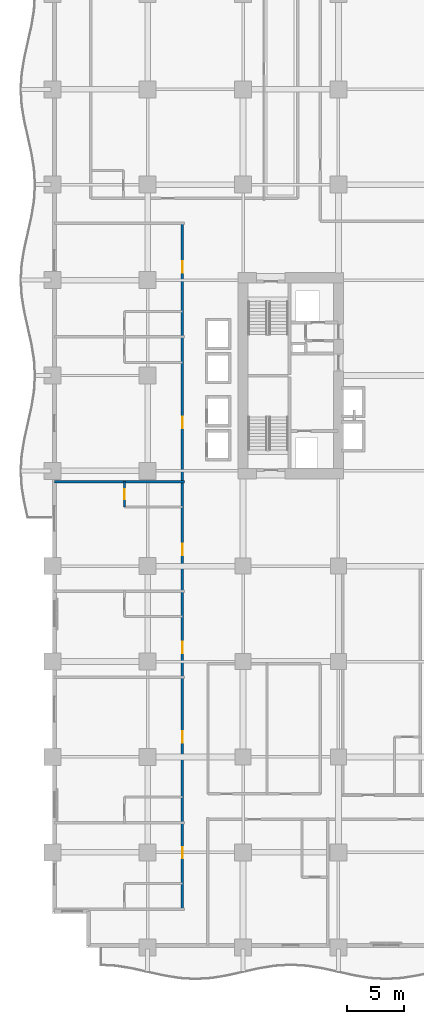
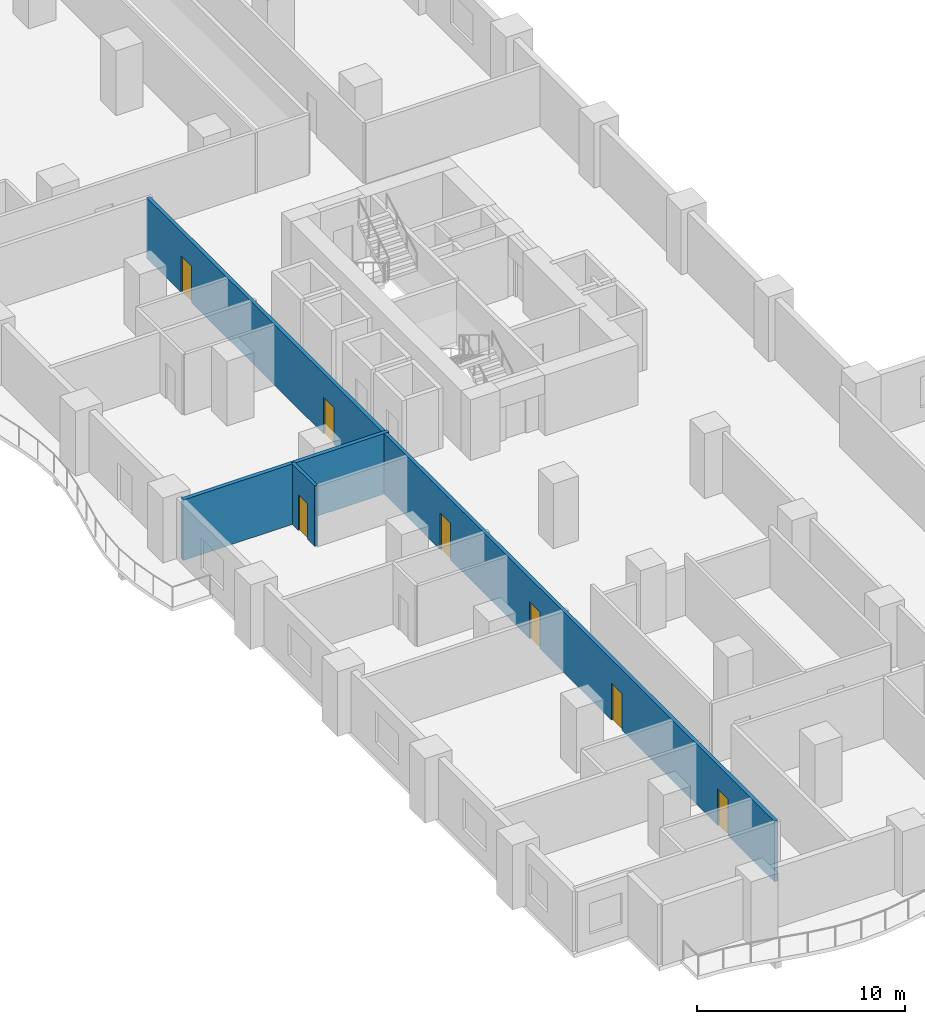
# One storey, part 14 of 27: 7 doors, 3 walls, 7 openings.
"""IFC4 building model written with IfcOpenShell, lengths in metres."""

from ifc_helpers import new_model, si_unit, direction, frame, frame_2d, origin, place, context, subcontext, project, spatial, rectangle, extrude, material, layer, layer_set, type_object, element, fill, save


model = new_model("IFC4")

# Units and contexts
model_context = context("Model", 3, precision=1e-05, world=origin(), true_north=direction((0.0, 1.0)))
body_context = subcontext(model_context, "Body", "Model", "MODEL_VIEW")
ifc_project = project(units=[si_unit("LENGTHUNIT", "METRE"), si_unit("AREAUNIT", "SQUARE_METRE"), si_unit("VOLUMEUNIT", "CUBIC_METRE"), si_unit("PLANEANGLEUNIT", "RADIAN"), si_unit("MASSUNIT", "GRAM", prefix="KILO")], contexts=[model_context])

# Site, building, storey
site_placement = place(None, origin())
site = spatial("IfcSite", under=ifc_project, at=site_placement, CompositionType="ELEMENT")
building_placement = place(site_placement, origin())
building = spatial("IfcBuilding", under=site, at=building_placement, Name="Koriwani Terraces Tower", CompositionType="ELEMENT")
storey_placement = place(building_placement, frame((0.0, 0.0, 70.0)))
storey = spatial("IfcBuildingStorey", under=building, at=storey_placement, Name="L16", CompositionType="ELEMENT", Elevation=70.0)

# Wall, openings, doors
ifc_material_1 = material(Name="Autoclaved Cellular Concrete Blockwork", Category="masonry")
ifc_layer_1 = layer(ifc_material_1, 0.199951171875, Name="Autoclaved Cellular Concrete Blockwork")
ifc_layer_set_1 = layer_set([ifc_layer_1], Name="Autoclaved Cellular Concrete Blockwork")
wall_type_1 = type_object("IfcWallType", Name="WALL_CORRIDOR_200", PredefinedType="PARTITIONING", material=ifc_layer_set_1)
wall_1_placement = place(storey_placement, frame((11.449951171875, 3.39990234375, 0.0), z_axis=(0.0, 0.0, 1.0), x_axis=(0.0, 1.0, 0.0)))
wall_1 = element("IfcWall", 1, at=wall_1_placement, inside=storey, type_object=wall_type_1, Name="L16 Interior Wall WCOR-L16-NW-0", PredefinedType="PARTITIONING", context=body_context, shape_type="SweptSolid", body=[
    extrude(rectangle(XDim=60.400146484375, YDim=0.199951171875, at=frame_2d((30.2001953125, 0.0))), origin(), (0.0, 0.0, 1.0), 3.550048828125),
])
opening_1_placement = place(wall_1_placement, frame((4.465087890625, 0.0, 0.0)))
opening_1 = element("IfcOpeningElement", 2, at=opening_1_placement, cuts=wall_1, Name="Opening D-05", PredefinedType="OPENING", context=body_context, shape_type="SweptSolid", body=[
    extrude(rectangle(XDim=1.0, YDim=2.14990234375, at=frame_2d((0.5, 1.074951171875))), frame((0.0, 0.10986328125, 0.0), z_axis=(0.0, -1.0, 0.0), x_axis=(1.0, 0.0, 0.0)), (0.0, 0.0, 1.0), 0.219970703125),
])
opening_2_placement = place(wall_1_placement, frame((14.6650390625, 0.0, 0.0)))
opening_2 = element("IfcOpeningElement", 3, at=opening_2_placement, cuts=wall_1, Name="Opening D-05", PredefinedType="OPENING", context=body_context, shape_type="SweptSolid", body=[
    extrude(rectangle(XDim=1.0, YDim=2.14990234375, at=frame_2d((0.5, 1.074951171875))), frame((0.0, 0.10986328125, 0.0), z_axis=(0.0, -1.0, 0.0), x_axis=(1.0, 0.0, 0.0)), (0.0, 0.0, 1.0), 0.219970703125),
])
opening_3_placement = place(wall_1_placement, frame((22.534912109375, 0.0, 0.0)))
opening_3 = element("IfcOpeningElement", 4, at=opening_3_placement, cuts=wall_1, Name="Opening D-05", PredefinedType="OPENING", context=body_context, shape_type="SweptSolid", body=[
    extrude(rectangle(XDim=1.0, YDim=2.14990234375, at=frame_2d((0.5, 1.074951171875))), frame((0.0, 0.10986328125, 0.0), z_axis=(0.0, -1.0, 0.0), x_axis=(1.0, 0.0, 0.0)), (0.0, 0.0, 1.0), 0.219970703125),
])
opening_4_placement = place(wall_1_placement, frame((31.159912109375, 0.0, 0.0)))
opening_4 = element("IfcOpeningElement", 5, at=opening_4_placement, cuts=wall_1, Name="Opening D-05", PredefinedType="OPENING", context=body_context, shape_type="SweptSolid", body=[
    extrude(rectangle(XDim=1.0, YDim=2.14990234375, at=frame_2d((0.5, 1.074951171875))), frame((0.0, 0.10986328125, 0.0), z_axis=(0.0, -1.0, 0.0), x_axis=(1.0, 0.0, 0.0)), (0.0, 0.0, 1.0), 0.219970703125),
])
opening_5_placement = place(wall_1_placement, frame((42.360107421875, 0.0, 0.0)))
opening_5 = element("IfcOpeningElement", 6, at=opening_5_placement, cuts=wall_1, Name="Opening D-05", PredefinedType="OPENING", context=body_context, shape_type="SweptSolid", body=[
    extrude(rectangle(XDim=1.0, YDim=2.14990234375, at=frame_2d((0.5, 1.074951171875))), frame((0.0, 0.10986328125, 0.0), z_axis=(0.0, -1.0, 0.0), x_axis=(1.0, 0.0, 0.0)), (0.0, 0.0, 1.0), 0.219970703125),
])
opening_6_placement = place(wall_1_placement, frame((56.06494140625, 0.0, 0.0)))
opening_6 = element("IfcOpeningElement", 7, at=opening_6_placement, cuts=wall_1, Name="Opening D-05", PredefinedType="OPENING", context=body_context, shape_type="SweptSolid", body=[
    extrude(rectangle(XDim=1.0, YDim=2.14990234375, at=frame_2d((0.5, 1.074951171875))), frame((0.0, 0.10986328125, 0.0), z_axis=(0.0, -1.0, 0.0), x_axis=(1.0, 0.0, 0.0)), (0.0, 0.0, 1.0), 0.219970703125),
])
ifc_material_2 = material(Name="Architectural Oak Fire Door", Category="wood")
door_type_1 = type_object("IfcDoorType", Name="DOOR_SUITE_ENTRY_1000X2150", OperationType="NOTDEFINED", PredefinedType="DOOR", material=ifc_material_2)
door_1_placement = place(opening_1_placement, origin())
door_1 = element("IfcDoor", 8, at=door_1_placement, inside=storey, type_object=door_type_1, Name="Luxury Hotel Suite 16NW1 Entrance Door", OperationType="SINGLE_SWING_RIGHT", OverallHeight=2.14990234375, OverallWidth=1.0, PredefinedType="DOOR", context=body_context, shape_type="SweptSolid", body=[
    extrude(rectangle(XDim=1.0, YDim=2.14990234375, at=frame_2d((0.5, 1.074951171875))), frame((0.0, 0.02490234375, 0.0), z_axis=(0.0, -1.0, 0.0), x_axis=(1.0, 0.0, 0.0)), (0.0, 0.0, 1.0), 0.050048828125),
])
fill(opening_1, door_1)
door_2_placement = place(opening_2_placement, origin())
door_2 = element("IfcDoor", 9, at=door_2_placement, inside=storey, type_object=door_type_1, Name="Luxury Hotel Suite 16NW2 Entrance Door", OperationType="SINGLE_SWING_RIGHT", OverallHeight=2.14990234375, OverallWidth=1.0, PredefinedType="DOOR", context=body_context, shape_type="SweptSolid", body=[
    extrude(rectangle(XDim=1.0, YDim=2.14990234375, at=frame_2d((0.5, 1.074951171875))), frame((0.0, 0.02490234375, 0.0), z_axis=(0.0, -1.0, 0.0), x_axis=(1.0, 0.0, 0.0)), (0.0, 0.0, 1.0), 0.050048828125),
])
fill(opening_2, door_2)
door_3_placement = place(opening_3_placement, origin())
door_3 = element("IfcDoor", 10, at=door_3_placement, inside=storey, type_object=door_type_1, Name="Luxury Hotel Suite 16NW3 Entrance Door", OperationType="SINGLE_SWING_RIGHT", OverallHeight=2.14990234375, OverallWidth=1.0, PredefinedType="DOOR", context=body_context, shape_type="SweptSolid", body=[
    extrude(rectangle(XDim=1.0, YDim=2.14990234375, at=frame_2d((0.5, 1.074951171875))), frame((0.0, 0.02490234375, 0.0), z_axis=(0.0, -1.0, 0.0), x_axis=(1.0, 0.0, 0.0)), (0.0, 0.0, 1.0), 0.050048828125),
])
fill(opening_3, door_3)
door_4_placement = place(opening_4_placement, origin())
door_4 = element("IfcDoor", 11, at=door_4_placement, inside=storey, type_object=door_type_1, Name="Luxury Hotel Suite 16NW4 Entrance Door", OperationType="SINGLE_SWING_RIGHT", OverallHeight=2.14990234375, OverallWidth=1.0, PredefinedType="DOOR", context=body_context, shape_type="SweptSolid", body=[
    extrude(rectangle(XDim=1.0, YDim=2.14990234375, at=frame_2d((0.5, 1.074951171875))), frame((0.0, 0.02490234375, 0.0), z_axis=(0.0, -1.0, 0.0), x_axis=(1.0, 0.0, 0.0)), (0.0, 0.0, 1.0), 0.050048828125),
])
fill(opening_4, door_4)
door_5_placement = place(opening_5_placement, origin())
door_5 = element("IfcDoor", 12, at=door_5_placement, inside=storey, type_object=door_type_1, Name="Luxury Hotel Suite 16NW5 Entrance Door", OperationType="SINGLE_SWING_RIGHT", OverallHeight=2.14990234375, OverallWidth=1.0, PredefinedType="DOOR", context=body_context, shape_type="SweptSolid", body=[
    extrude(rectangle(XDim=1.0, YDim=2.14990234375, at=frame_2d((0.5, 1.074951171875))), frame((0.0, 0.02490234375, 0.0), z_axis=(0.0, -1.0, 0.0), x_axis=(1.0, 0.0, 0.0)), (0.0, 0.0, 1.0), 0.050048828125),
])
fill(opening_5, door_5)
door_6_placement = place(opening_6_placement, origin())
door_6 = element("IfcDoor", 13, at=door_6_placement, inside=storey, type_object=door_type_1, Name="Luxury Hotel Suite 16NW6 Entrance Door", OperationType="SINGLE_SWING_RIGHT", OverallHeight=2.14990234375, OverallWidth=1.0, PredefinedType="DOOR", context=body_context, shape_type="SweptSolid", body=[
    extrude(rectangle(XDim=1.0, YDim=2.14990234375, at=frame_2d((0.5, 1.074951171875))), frame((0.0, 0.02490234375, 0.0), z_axis=(0.0, -1.0, 0.0), x_axis=(1.0, 0.0, 0.0)), (0.0, 0.0, 1.0), 0.050048828125),
])
fill(opening_6, door_6)

# Wall
ifc_layer_2 = layer(ifc_material_1, 0.219970703125, Name="Autoclaved Cellular Concrete Blockwork")
ifc_layer_set_2 = layer_set([ifc_layer_2], Name="Autoclaved Cellular Concrete Blockwork")
wall_type_2 = type_object("IfcWallType", Name="WALL_DEMISING_220", PredefinedType="PARTITIONING", material=ifc_layer_set_2)
wall_2_placement = place(storey_placement, frame((0.199951171875, 41.050048828125, 0.0), z_axis=(0.0, 0.0, 1.0), x_axis=(1.0, 0.0, 0.0)))
element("IfcWall", 14, at=wall_2_placement, inside=storey, type_object=wall_type_2, Name="L16 Interior Wall WDEM-L16-NW-4", PredefinedType="PARTITIONING", context=body_context, shape_type="SweptSolid", body=[
    extrude(rectangle(XDim=11.429931640625, YDim=0.219970703125, at=frame_2d((5.71484375, 0.0))), origin(), (0.0, 0.0, 1.0), 3.550048828125),
])

# Wall, opening, door
ifc_material_3 = material(Name="Fire-Rated Acoustic Gypsum Partition", Category="masonry")
ifc_layer_3 = layer(ifc_material_3, 0.179931640625, Name="Fire-Rated Acoustic Gypsum Partition")
ifc_layer_set_3 = layer_set([ifc_layer_3], Name="Fire-Rated Acoustic Gypsum Partition")
wall_type_3 = type_object("IfcWallType", Name="WALL_PLUMBING_180", PredefinedType="PLUMBINGWALL", material=ifc_layer_set_3)
wall_3_placement = place(storey_placement, frame((6.35009765625, 38.800048828125, 0.0), z_axis=(0.0, 0.0, 1.0), x_axis=(0.0, 1.0, 0.0)))
wall_3 = element("IfcWall", 15, at=wall_3_placement, inside=storey, type_object=wall_type_3, Name="L16 Interior Wall WBTH1-L16-NW-3", PredefinedType="PLUMBINGWALL", context=body_context, shape_type="SweptSolid", body=[
    extrude(rectangle(XDim=2.25, YDim=0.179931640625, at=frame_2d((1.125, 0.0))), origin(), (0.0, 0.0, 1.0), 3.550048828125),
])
opening_7_placement = place(wall_3_placement, frame((0.675048828125, 0.0, 0.0)))
opening_7 = element("IfcOpeningElement", 16, at=opening_7_placement, cuts=wall_3, Name="Opening D-07", PredefinedType="OPENING", context=body_context, shape_type="SweptSolid", body=[
    extrude(rectangle(XDim=0.89990234375, YDim=2.10009765625, at=frame_2d((0.449951171875, 1.050048828125))), frame((0.0, 0.10009765625, 0.0), z_axis=(0.0, -1.0, 0.0), x_axis=(1.0, 0.0, 0.0)), (0.0, 0.0, 1.0), 0.199951171875),
])
door_type_2 = type_object("IfcDoorType", Name="DOOR_BATH_INT_900X2100", OperationType="NOTDEFINED", PredefinedType="DOOR", material=ifc_material_2)
door_7_placement = place(opening_7_placement, origin())
door_7 = element("IfcDoor", 17, at=door_7_placement, inside=storey, type_object=door_type_2, Name="En-Suite Bathroom 16NW4 Door", OperationType="SINGLE_SWING_LEFT", OverallHeight=2.10009765625, OverallWidth=0.89990234375, PredefinedType="DOOR", context=body_context, shape_type="SweptSolid", body=[
    extrude(rectangle(XDim=0.89990234375, YDim=2.10009765625, at=frame_2d((0.449951171875, 1.050048828125))), frame((0.0, 0.02490234375, 0.0), z_axis=(0.0, -1.0, 0.0), x_axis=(1.0, 0.0, 0.0)), (0.0, 0.0, 1.0), 0.050048828125),
])
fill(opening_7, door_7)

save(model, "model.ifc")
